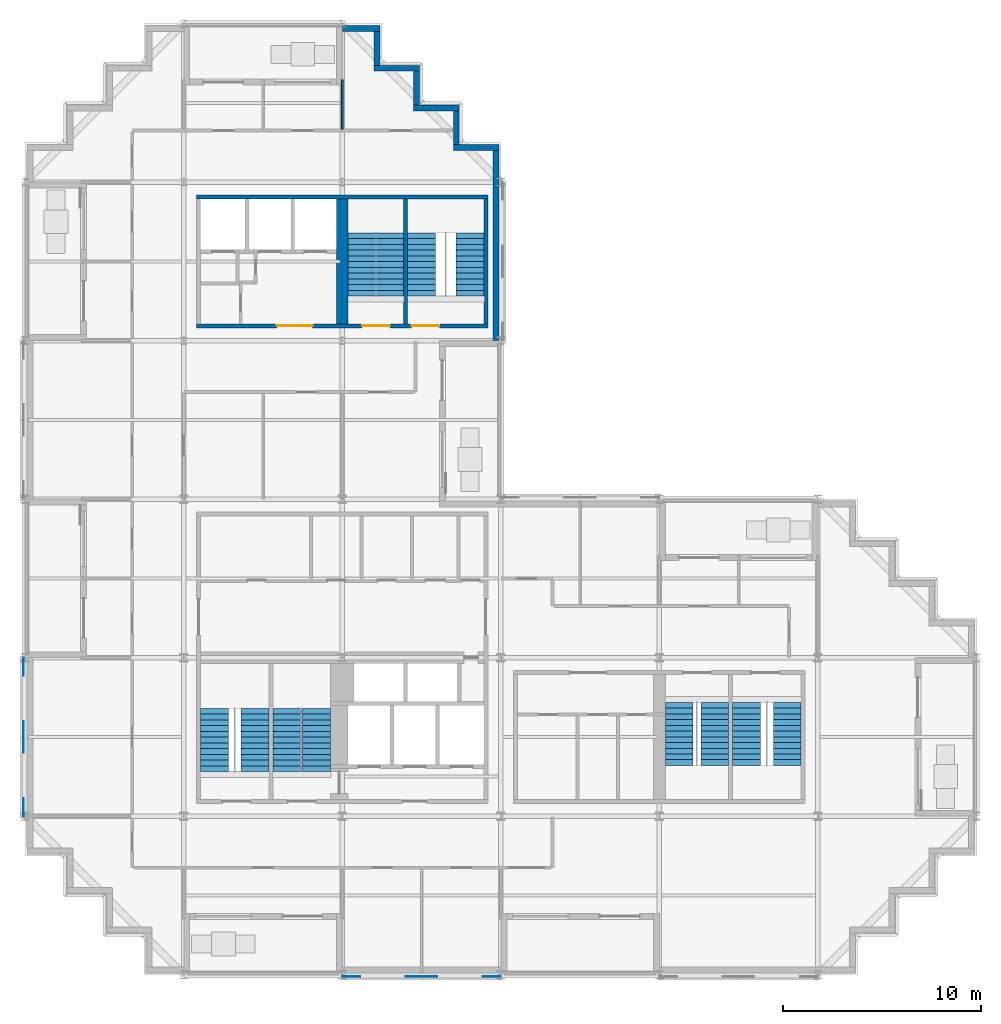
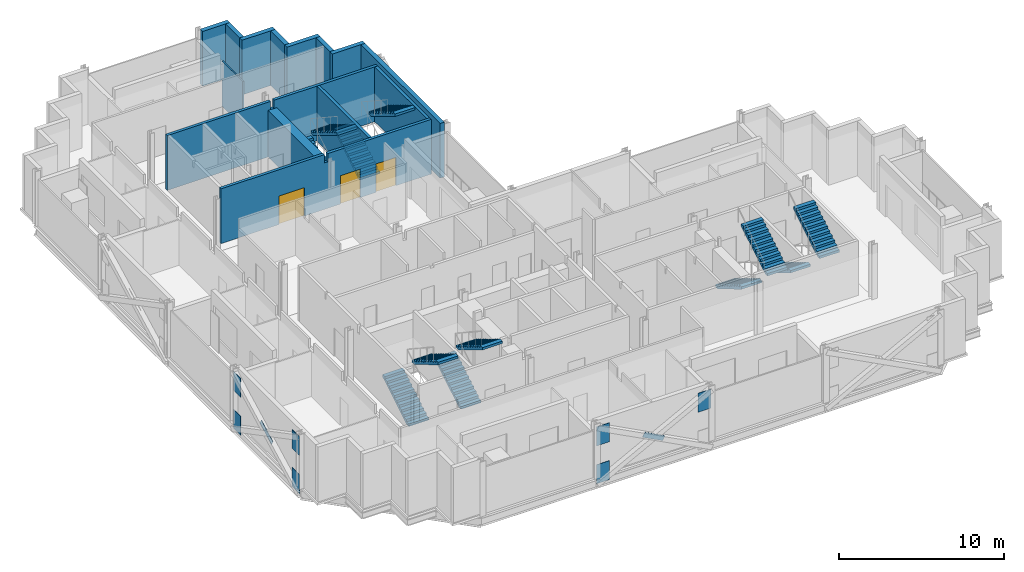
# One storey, part 9 of 13: 14 walls, 12 stair flights, 9 discrete accessories, 3 doors, 3 openings, 6 elements without a shape of their own.
"""IFC4 building model written with IfcOpenShell, lengths in metres."""

from ifc_helpers import new_model, si_unit, direction, frame, frame_2d, origin, origin_2d, place, context, subcontext, project, spatial, polyline, rectangle, outline, extrude, material, layer, layer_set, material_profile, profile_set, type_object, element, fill, aggregate, save


model = new_model("IFC4")

# Units and contexts
model_context = context("Model", 3, precision=1e-05, world=origin(), true_north=direction((0.0, 1.0)))
body_context = subcontext(model_context, "Body", "Model", "MODEL_VIEW")
ifc_project = project(units=[si_unit("LENGTHUNIT", "METRE"), si_unit("AREAUNIT", "SQUARE_METRE"), si_unit("VOLUMEUNIT", "CUBIC_METRE"), si_unit("PLANEANGLEUNIT", "RADIAN"), si_unit("MASSUNIT", "GRAM", prefix="KILO")], contexts=[model_context])

# Site, building, storey
site_placement = place(None, origin())
site = spatial("IfcSite", under=ifc_project, at=site_placement, CompositionType="ELEMENT")
building_placement = place(site_placement, origin())
building = spatial("IfcBuilding", under=site, at=building_placement, Name="Immortelle Media Tower", CompositionType="ELEMENT")
storey_placement = place(building_placement, frame((0.0, 0.0, 174.60009765625)))
storey = spatial("IfcBuildingStorey", under=building, at=storey_placement, Name="L36", CompositionType="ELEMENT", Elevation=174.60009765625)

# Walls
ifc_material_1 = material(Name="Pale aluminium cladding panel", Category="aluminium")
ifc_layer_1 = layer(ifc_material_1, 0.030029296875)
ifc_material_2 = material(Name="Steel ASTM A653 SS Gr 50 stud frame with mineral wool", Category="steel")
ifc_layer_2 = layer(ifc_material_2, 0.257568359375)
ifc_material_3 = material(Name="Moisture-resistant gypsum board", Category="gypsum")
ifc_layer_3 = layer(ifc_material_3, 0.012451171875)
ifc_layer_set_1 = layer_set([ifc_layer_1, ifc_layer_2, ifc_layer_3], Name="Steel ASTM A653 SS Gr 50 stud frame with mineral wool")
wall_type_1 = type_object("IfcWallType", Name="Facade wall 300", PredefinedType="SOLIDWALL", material=ifc_layer_set_1)
wall_1_placement = place(storey_placement, frame((23.75, 32.0, 0.0), z_axis=(0.0, 0.0, 1.0), x_axis=(0.0, 1.0, 0.0)))
element("IfcWall", 1, at=wall_1_placement, inside=storey, type_object=wall_type_1, Name="Facade wall L36 E21", PredefinedType="SOLIDWALL", context=body_context, shape_type="SweptSolid", body=[
    extrude(rectangle(XDim=9.60009765625, YDim=0.300048828125, at=frame_2d((4.800048828125, 0.0))), origin(), (0.0, 0.0, 1.0), 4.0498046875),
])
wall_2_placement = place(storey_placement, frame((23.89990234375, 41.75, 0.0), z_axis=(0.0, 0.0, 1.0), x_axis=(-1.0, 0.0, 0.0)))
element("IfcWall", 2, at=wall_2_placement, inside=storey, type_object=wall_type_1, Name="Facade wall L36 N22", PredefinedType="SOLIDWALL", context=body_context, shape_type="SweptSolid", body=[
    extrude(rectangle(XDim=2.2998046875, YDim=0.300048828125, at=frame_2d((1.14990234375, 0.0))), origin(), (0.0, 0.0, 1.0), 4.0498046875),
])
wall_3_placement = place(storey_placement, frame((21.75, 41.89990234375, 0.0), z_axis=(0.0, 0.0, 1.0), x_axis=(0.0, 1.0, 0.0)))
element("IfcWall", 3, at=wall_3_placement, inside=storey, type_object=wall_type_1, Name="Facade wall L36 E23", PredefinedType="SOLIDWALL", context=body_context, shape_type="SweptSolid", body=[
    extrude(rectangle(XDim=1.7001953125, YDim=0.300048828125, at=frame_2d((0.85009765625, 0.0))), origin(), (0.0, 0.0, 1.0), 4.0498046875),
])
wall_4_placement = place(storey_placement, frame((21.89990234375, 43.75, 0.0), z_axis=(0.0, 0.0, 1.0), x_axis=(-1.0, 0.0, 0.0)))
element("IfcWall", 4, at=wall_4_placement, inside=storey, type_object=wall_type_1, Name="Facade wall L36 N24", PredefinedType="SOLIDWALL", context=body_context, shape_type="SweptSolid", body=[
    extrude(rectangle(XDim=2.2998046875, YDim=0.300048828125, at=frame_2d((1.14990234375, 0.0))), origin(), (0.0, 0.0, 1.0), 4.0498046875),
])
wall_5_placement = place(storey_placement, frame((19.75, 43.89990234375, 0.0), z_axis=(0.0, 0.0, 1.0), x_axis=(0.0, 1.0, 0.0)))
element("IfcWall", 5, at=wall_5_placement, inside=storey, type_object=wall_type_1, Name="Facade wall L36 E25", PredefinedType="SOLIDWALL", context=body_context, shape_type="SweptSolid", body=[
    extrude(rectangle(XDim=1.7001953125, YDim=0.300048828125, at=frame_2d((0.85009765625, 0.0))), origin(), (0.0, 0.0, 1.0), 4.0498046875),
])
wall_6_placement = place(storey_placement, frame((19.89990234375, 45.75, 0.0), z_axis=(0.0, 0.0, 1.0), x_axis=(-1.0, 0.0, 0.0)))
element("IfcWall", 6, at=wall_6_placement, inside=storey, type_object=wall_type_1, Name="Facade wall L36 N26", PredefinedType="SOLIDWALL", context=body_context, shape_type="SweptSolid", body=[
    extrude(rectangle(XDim=2.2998046875, YDim=0.300048828125, at=frame_2d((1.14990234375, 0.0))), origin(), (0.0, 0.0, 1.0), 4.0498046875),
])
wall_7_placement = place(storey_placement, frame((17.75, 45.89990234375, 0.0), z_axis=(0.0, 0.0, 1.0), x_axis=(0.0, 1.0, 0.0)))
element("IfcWall", 7, at=wall_7_placement, inside=storey, type_object=wall_type_1, Name="Facade wall L36 E27", PredefinedType="SOLIDWALL", context=body_context, shape_type="SweptSolid", body=[
    extrude(rectangle(XDim=1.7001953125, YDim=0.300048828125, at=frame_2d((0.85009765625, 0.0))), origin(), (0.0, 0.0, 1.0), 4.0498046875),
])
wall_8_placement = place(storey_placement, frame((17.89990234375, 47.75, 0.0), z_axis=(0.0, 0.0, 1.0), x_axis=(-1.0, 0.0, 0.0)))
element("IfcWall", 8, at=wall_8_placement, inside=storey, type_object=wall_type_1, Name="Facade wall L36 N28", PredefinedType="SOLIDWALL", context=body_context, shape_type="SweptSolid", body=[
    extrude(rectangle(XDim=1.89990234375, YDim=0.300048828125, at=frame_2d((0.949951171875, 0.0))), origin(), (0.0, 0.0, 1.0), 4.0498046875),
])
ifc_material_4 = material(Name="Gypsum board", Category="gypsum")
ifc_layer_4 = layer(ifc_material_4, 0.012451171875)
ifc_layer_5 = layer(ifc_material_2, 0.074951171875)
ifc_layer_6 = layer(ifc_material_4, 0.012451171875)
ifc_layer_set_2 = layer_set([ifc_layer_4, ifc_layer_5, ifc_layer_6], Name="Steel ASTM A653 SS Gr 50 stud frame with mineral wool")
wall_type_2 = type_object("IfcWallType", Name="Partition 100", PredefinedType="PARTITIONING", material=ifc_layer_set_2)
wall_9_placement = place(storey_placement, frame((16.0, 42.675048828125, 0.0), z_axis=(0.0, 0.0, 1.0), x_axis=(0.0, 1.0, 0.0)))
element("IfcWall", 9, at=wall_9_placement, inside=storey, type_object=wall_type_2, Name="Partition L36-031", PredefinedType="PARTITIONING", context=body_context, shape_type="SweptSolid", body=[
    extrude(rectangle(XDim=2.494873046875, YDim=0.10009765625, at=frame_2d((1.24755859375, 0.0))), origin(), (0.0, 0.0, 1.0), 3.35400390625),
])

# Wall, openings, doors
ifc_material_5 = material(Name="Concrete C60", Category="concrete")
ifc_layer_7 = layer(ifc_material_5, 0.199951171875)
ifc_layer_set_3 = layer_set([ifc_layer_7], Name="Concrete C60")
wall_type_3 = type_object("IfcWallType", Name="Stair shaft wall 200", PredefinedType="PARTITIONING", material=ifc_layer_set_3)
wall_10_placement = place(storey_placement, frame((8.64990234375, 32.75, 0.0), z_axis=(0.0, 0.0, 1.0), x_axis=(1.0, 0.0, 0.0)))
wall_10 = element("IfcWall", 10, at=wall_10_placement, inside=storey, type_object=wall_type_3, Name="Stair shaft wall NW", PredefinedType="PARTITIONING", context=body_context, shape_type="SweptSolid", body=[
    extrude(outline(polyline([(0.0, 0.0), (14.7001953125, 0.0), (14.699951171875, 4.0498046875), (7.468994140625, 4.0498046875), (7.468017578125, 3.44189453125), (7.23193359375, 3.44189453125), (7.23095703125, 4.0498046875), (0.0, 4.0498046875), (0.0, 0.0)])), frame((0.0, 0.10009765625, 0.0), z_axis=(0.0, -1.0, 0.0), x_axis=(1.0, 0.0, 0.0)), (0.0, 0.0, 1.0), 0.199951171875),
])
opening_1_placement = place(wall_10_placement, frame((4.050048828125, 0.0, 0.0)))
opening_1 = element("IfcOpeningElement", 11, at=opening_1_placement, cuts=wall_10, Name="Opening C6-K026", PredefinedType="OPENING", context=body_context, shape_type="SweptSolid", body=[
    extrude(rectangle(XDim=1.800048828125, YDim=2.10009765625, at=frame_2d((0.89990234375, 1.050048828125))), frame((0.0, 0.10986328125, 0.0), z_axis=(0.0, -1.0, 0.0), x_axis=(1.0, 0.0, 0.0)), (0.0, 0.0, 1.0), 0.219970703125),
])
opening_2_placement = place(wall_10_placement, frame((8.35009765625, 0.0, 0.0)))
opening_2 = element("IfcOpeningElement", 12, at=opening_2_placement, cuts=wall_10, Name="Opening C6-K028", PredefinedType="OPENING", context=body_context, shape_type="SweptSolid", body=[
    extrude(rectangle(XDim=1.39990234375, YDim=2.10009765625, at=frame_2d((0.699951171875, 1.050048828125))), frame((0.0, 0.10986328125, 0.0), z_axis=(0.0, -1.0, 0.0), x_axis=(1.0, 0.0, 0.0)), (0.0, 0.0, 1.0), 0.219970703125),
])
opening_3_placement = place(wall_10_placement, frame((10.85009765625, 0.0, 0.0)))
opening_3 = element("IfcOpeningElement", 13, at=opening_3_placement, cuts=wall_10, Name="Opening C6-K029", PredefinedType="OPENING", context=body_context, shape_type="SweptSolid", body=[
    extrude(rectangle(XDim=1.39990234375, YDim=2.10009765625, at=frame_2d((0.699951171875, 1.050048828125))), frame((0.0, 0.10986328125, 0.0), z_axis=(0.0, -1.0, 0.0), x_axis=(1.0, 0.0, 0.0)), (0.0, 0.0, 1.0), 0.219970703125),
])
ifc_material_6 = material(Name="Galvanised steel door leaf and frame ASTM A653", Category="steel")
door_type_1 = type_object("IfcDoorType", Name="Lift lobby door 1800 x 2100", OperationType="DOUBLE_DOOR_SINGLE_SWING", PredefinedType="NOTDEFINED", material=ifc_material_6)
door_1_placement = place(opening_1_placement, origin())
door_1 = element("IfcDoor", 14, at=door_1_placement, inside=storey, type_object=door_type_1, Name="Lift lobby C6-K026", OperationType="DOUBLE_DOOR_SINGLE_SWING", OverallHeight=2.10009765625, OverallWidth=1.800048828125, PredefinedType="NOTDEFINED", context=body_context, shape_type="SweptSolid", body=[
    extrude(rectangle(XDim=1.800048828125, YDim=2.10009765625, at=frame_2d((0.89990234375, 1.050048828125))), frame((0.0, 0.02490234375, 0.0), z_axis=(0.0, -1.0, 0.0), x_axis=(1.0, 0.0, 0.0)), (0.0, 0.0, 1.0), 0.050048828125),
])
fill(opening_1, door_1)
door_type_2 = type_object("IfcDoorType", Name="Stair door 1400 x 2100", OperationType="DOUBLE_DOOR_SINGLE_SWING", PredefinedType="NOTDEFINED", material=ifc_material_6)
door_2_placement = place(opening_2_placement, origin())
door_2 = element("IfcDoor", 15, at=door_2_placement, inside=storey, type_object=door_type_2, Name="Stair C6-K028", OperationType="DOUBLE_DOOR_SINGLE_SWING", OverallHeight=2.10009765625, OverallWidth=1.39990234375, PredefinedType="NOTDEFINED", context=body_context, shape_type="SweptSolid", body=[
    extrude(rectangle(XDim=1.39990234375, YDim=2.10009765625, at=frame_2d((0.699951171875, 1.050048828125))), frame((0.0, 0.02490234375, 0.0), z_axis=(0.0, -1.0, 0.0), x_axis=(1.0, 0.0, 0.0)), (0.0, 0.0, 1.0), 0.050048828125),
])
fill(opening_2, door_2)
door_3_placement = place(opening_3_placement, origin())
door_3 = element("IfcDoor", 16, at=door_3_placement, inside=storey, type_object=door_type_2, Name="Stair C6-K029", OperationType="DOUBLE_DOOR_SINGLE_SWING", OverallHeight=2.10009765625, OverallWidth=1.39990234375, PredefinedType="NOTDEFINED", context=body_context, shape_type="SweptSolid", body=[
    extrude(rectangle(XDim=1.39990234375, YDim=2.10009765625, at=frame_2d((0.699951171875, 1.050048828125))), frame((0.0, 0.02490234375, 0.0), z_axis=(0.0, -1.0, 0.0), x_axis=(1.0, 0.0, 0.0)), (0.0, 0.0, 1.0), 0.050048828125),
])
fill(opening_3, door_3)

# Walls
wall_11_placement = place(storey_placement, frame((8.64990234375, 39.25, 0.0), z_axis=(0.0, 0.0, 1.0), x_axis=(1.0, 0.0, 0.0)))
element("IfcWall", 17, at=wall_11_placement, inside=storey, type_object=wall_type_3, Name="Stair shaft wall NW", PredefinedType="PARTITIONING", context=body_context, shape_type="SweptSolid", body=[
    extrude(outline(polyline([(0.0, 0.0), (14.7001953125, 0.0), (14.699951171875, 4.0498046875), (7.468994140625, 4.0498046875), (7.468017578125, 3.44189453125), (7.23193359375, 3.44189453125), (7.23095703125, 4.0498046875), (0.0, 4.0498046875), (0.0, 0.0)])), frame((0.0, 0.10009765625, 0.0), z_axis=(0.0, -1.0, 0.0), x_axis=(1.0, 0.0, 0.0)), (0.0, 0.0, 1.0), 0.199951171875),
])
for number, where, z_axis, x_axis, name in (
    (18, (19.199951171875, 32.85009765625, 0.0), (0.0, 0.0, 1.0), (0.0, 1.0, 0.0), "Stair shaft wall NW"),
    (19, (23.25, 32.85009765625, 0.0), (0.0, 0.0, 1.0), (0.0, 1.0, 0.0), "Stair shaft wall NW"),
):
    element("IfcWall", number, at=place(storey_placement, frame(where, z_axis=z_axis, x_axis=x_axis)), inside=storey, type_object=wall_type_3, Name=name, PredefinedType="PARTITIONING", context=body_context, shape_type="SweptSolid", body=[
        extrude(rectangle(XDim=6.2998046875, YDim=0.199951171875, at=frame_2d((3.14990234375, 0.0))), origin(), (0.0, 0.0, 1.0), 4.0498046875),
    ])
ifc_layer_8 = layer(ifc_material_5, 0.60009765625)
ifc_layer_set_4 = layer_set([ifc_layer_8], Name="Concrete C60")
wall_type_4 = type_object("IfcWallType", Name="Stair shaft wall 600", PredefinedType="PARTITIONING", material=ifc_layer_set_4)
wall_12_placement = place(storey_placement, frame((16.0, 32.85009765625, 0.0), z_axis=(0.0, 0.0, 1.0), x_axis=(0.0, 1.0, 0.0)))
element("IfcWall", 20, at=wall_12_placement, inside=storey, type_object=wall_type_4, Name="Stair shaft wall NW", PredefinedType="PARTITIONING", context=body_context, shape_type="SweptSolid", body=[
    extrude(rectangle(XDim=6.2998046875, YDim=0.60009765625, at=frame_2d((3.14990234375, 0.0))), origin(), (0.0, 0.0, 1.0), 3.44189453125),
])

# Stair, stair flights
ifc_material_7 = material(Name="Steel ASTM A992 Gr 50", Category="steel")
stair_type = type_object("IfcStairType", Name="Stair with flights", PredefinedType="DOUBLE_RETURN_STAIR", material=ifc_material_7)
stair_1_placement = place(storey_placement, origin())
stair_1 = element("IfcStair", 21, at=stair_1_placement, inside=storey, type_object=stair_type, Name="Exit stair SW1", PredefinedType="DOUBLE_RETURN_STAIR")
stair_flight_type = type_object("IfcStairFlightType", Name="Stair flight 1400", PredefinedType="STRAIGHT", material=ifc_material_7)
stair_flight_1_placement = place(storey_placement, frame((9.550048828125, 10.25, 0.0), z_axis=(0.0, 0.0, 1.0), x_axis=(0.0, 1.0, 0.0)))
stair_flight_1 = element("IfcStairFlight", 22, at=stair_flight_1_placement, type_object=stair_flight_type, Name="ST SW1 flight 1", NumberOfRisers=12, NumberOfTreads=11, PredefinedType="STRAIGHT", RiserHeight=0.175, TreadLength=0.29, context=body_context, shape_type="SweptSolid", body=[
    extrude(outline(polyline([(0.0, 0.0), (0.0, 0.175048828125), (0.2900390625, 0.175048828125), (0.2900390625, 0.35009765625), (0.580078125, 0.35009765625), (0.580078125, 0.52490234375), (0.8701171875, 0.52490234375), (0.8701171875, 0.699951171875), (1.159912109375, 0.699951171875), (1.159912109375, 0.875), (1.449951171875, 0.875), (1.449951171875, 1.050048828125), (1.739990234375, 1.050048828125), (1.739990234375, 1.22509765625), (2.030029296875, 1.22509765625), (2.030029296875, 1.39990234375), (2.320068359375, 1.39990234375), (2.320068359375, 1.574951171875), (2.610107421875, 1.574951171875), (2.610107421875, 1.75), (2.89990234375, 1.75), (2.89990234375, 1.925048828125), (3.18994140625, 1.925048828125), (3.18994140625, 2.10009765625), (3.18994140625, 1.75), (0.2900390625, 0.0), (0.0, 0.0)])), frame((0.0, 0.699951171875, 0.0), z_axis=(0.0, -1.0, 0.0), x_axis=(1.0, 0.0, 0.0)), (0.0, 0.0, 1.0), 1.39990234375),
])
stair_flight_2_placement = place(storey_placement, frame((11.60009765625, 13.43994140625, 2.099853515625), z_axis=(0.0, 0.0, 1.0), x_axis=(0.0, -1.0, 0.0)))
stair_flight_2 = element("IfcStairFlight", 23, at=stair_flight_2_placement, type_object=stair_flight_type, Name="ST SW1 flight 2", NumberOfRisers=12, NumberOfTreads=11, PredefinedType="STRAIGHT", RiserHeight=0.175, TreadLength=0.29, context=body_context, shape_type="SweptSolid", body=[
    extrude(outline(polyline([(0.0, 0.0), (0.0, 0.175048828125), (0.2900390625, 0.175048828125), (0.2900390625, 0.35009765625), (0.580078125, 0.35009765625), (0.580078125, 0.52490234375), (0.8701171875, 0.52490234375), (0.8701171875, 0.699951171875), (1.159912109375, 0.699951171875), (1.159912109375, 0.875), (1.449951171875, 0.875), (1.449951171875, 1.050048828125), (1.739990234375, 1.050048828125), (1.739990234375, 1.22509765625), (2.030029296875, 1.22509765625), (2.030029296875, 1.39990234375), (2.320068359375, 1.39990234375), (2.320068359375, 1.574951171875), (2.610107421875, 1.574951171875), (2.610107421875, 1.75), (2.89990234375, 1.75), (2.89990234375, 1.925048828125), (3.18994140625, 1.925048828125), (3.18994140625, 2.10009765625), (3.18994140625, 1.75), (0.2900390625, 0.0), (0.0, 0.0)])), frame((0.0, 0.699951171875, 0.0), z_axis=(0.0, -1.0, 0.0), x_axis=(1.0, 0.0, 0.0)), (0.0, 0.0, 1.0), 1.39990234375),
])
aggregate(stair_1, [stair_flight_1, stair_flight_2])

stair_2_placement = place(storey_placement, origin())
stair_2 = element("IfcStair", 24, at=stair_2_placement, inside=storey, type_object=stair_type, Name="Exit stair SW2", PredefinedType="DOUBLE_RETURN_STAIR")
stair_flight_3_placement = place(storey_placement, frame((13.199951171875, 10.25, 0.0), z_axis=(0.0, 0.0, 1.0), x_axis=(0.0, 1.0, 0.0)))
stair_flight_3 = element("IfcStairFlight", 25, at=stair_flight_3_placement, type_object=stair_flight_type, Name="ST SW2 flight 1", NumberOfRisers=12, NumberOfTreads=11, PredefinedType="STRAIGHT", RiserHeight=0.175, TreadLength=0.29, context=body_context, shape_type="SweptSolid", body=[
    extrude(outline(polyline([(0.0, 0.0), (0.0, 0.175048828125), (0.2900390625, 0.175048828125), (0.2900390625, 0.35009765625), (0.580078125, 0.35009765625), (0.580078125, 0.52490234375), (0.8701171875, 0.52490234375), (0.8701171875, 0.699951171875), (1.159912109375, 0.699951171875), (1.159912109375, 0.875), (1.449951171875, 0.875), (1.449951171875, 1.050048828125), (1.739990234375, 1.050048828125), (1.739990234375, 1.22509765625), (2.030029296875, 1.22509765625), (2.030029296875, 1.39990234375), (2.320068359375, 1.39990234375), (2.320068359375, 1.574951171875), (2.610107421875, 1.574951171875), (2.610107421875, 1.75), (2.89990234375, 1.75), (2.89990234375, 1.925048828125), (3.18994140625, 1.925048828125), (3.18994140625, 2.10009765625), (3.18994140625, 1.75), (0.2900390625, 0.0), (0.0, 0.0)])), frame((0.0, 0.699951171875, 0.0), z_axis=(0.0, -1.0, 0.0), x_axis=(1.0, 0.0, 0.0)), (0.0, 0.0, 1.0), 1.39990234375),
])
stair_flight_4_placement = place(storey_placement, frame((14.699951171875, 13.43994140625, 2.099853515625), z_axis=(0.0, 0.0, 1.0), x_axis=(0.0, -1.0, 0.0)))
stair_flight_4 = element("IfcStairFlight", 26, at=stair_flight_4_placement, type_object=stair_flight_type, Name="ST SW2 flight 2", NumberOfRisers=12, NumberOfTreads=11, PredefinedType="STRAIGHT", RiserHeight=0.175, TreadLength=0.29, context=body_context, shape_type="SweptSolid", body=[
    extrude(outline(polyline([(0.0, 0.0), (0.0, 0.175048828125), (0.2900390625, 0.175048828125), (0.2900390625, 0.35009765625), (0.580078125, 0.35009765625), (0.580078125, 0.52490234375), (0.8701171875, 0.52490234375), (0.8701171875, 0.699951171875), (1.159912109375, 0.699951171875), (1.159912109375, 0.875), (1.449951171875, 0.875), (1.449951171875, 1.050048828125), (1.739990234375, 1.050048828125), (1.739990234375, 1.22509765625), (2.030029296875, 1.22509765625), (2.030029296875, 1.39990234375), (2.320068359375, 1.39990234375), (2.320068359375, 1.574951171875), (2.610107421875, 1.574951171875), (2.610107421875, 1.75), (2.89990234375, 1.75), (2.89990234375, 1.925048828125), (3.18994140625, 1.925048828125), (3.18994140625, 2.10009765625), (3.18994140625, 1.75), (0.2900390625, 0.0), (0.0, 0.0)])), frame((0.0, 0.699951171875, 0.0), z_axis=(0.0, -1.0, 0.0), x_axis=(1.0, 0.0, 0.0)), (0.0, 0.0, 1.0), 1.39990234375),
])
aggregate(stair_2, [stair_flight_3, stair_flight_4])

stair_3_placement = place(storey_placement, origin())
stair_3 = element("IfcStair", 27, at=stair_3_placement, inside=storey, type_object=stair_type, Name="Exit stair SE1", PredefinedType="DOUBLE_RETURN_STAIR")
stair_flight_5_placement = place(storey_placement, frame((33.0, 13.75, 0.0), z_axis=(0.0, 0.0, 1.0), x_axis=(0.0, -1.0, 0.0)))
stair_flight_5 = element("IfcStairFlight", 28, at=stair_flight_5_placement, type_object=stair_flight_type, Name="ST SE1 flight 1", NumberOfRisers=12, NumberOfTreads=11, PredefinedType="STRAIGHT", RiserHeight=0.175, TreadLength=0.29, context=body_context, shape_type="SweptSolid", body=[
    extrude(outline(polyline([(0.0, 0.0), (0.0, 0.175048828125), (0.2900390625, 0.175048828125), (0.2900390625, 0.35009765625), (0.580078125, 0.35009765625), (0.580078125, 0.52490234375), (0.8701171875, 0.52490234375), (0.8701171875, 0.699951171875), (1.159912109375, 0.699951171875), (1.159912109375, 0.875), (1.449951171875, 0.875), (1.449951171875, 1.050048828125), (1.739990234375, 1.050048828125), (1.739990234375, 1.22509765625), (2.030029296875, 1.22509765625), (2.030029296875, 1.39990234375), (2.320068359375, 1.39990234375), (2.320068359375, 1.574951171875), (2.610107421875, 1.574951171875), (2.610107421875, 1.75), (2.89990234375, 1.75), (2.89990234375, 1.925048828125), (3.18994140625, 1.925048828125), (3.18994140625, 2.10009765625), (3.18994140625, 1.75), (0.2900390625, 0.0), (0.0, 0.0)])), frame((0.0, 0.699951171875, 0.0), z_axis=(0.0, -1.0, 0.0), x_axis=(1.0, 0.0, 0.0)), (0.0, 0.0, 1.0), 1.39990234375),
])
stair_flight_6_placement = place(storey_placement, frame((34.800048828125, 10.56005859375, 2.099853515625), z_axis=(0.0, 0.0, 1.0), x_axis=(0.0, 1.0, 0.0)))
stair_flight_6 = element("IfcStairFlight", 29, at=stair_flight_6_placement, type_object=stair_flight_type, Name="ST SE1 flight 2", NumberOfRisers=12, NumberOfTreads=11, PredefinedType="STRAIGHT", RiserHeight=0.175, TreadLength=0.29, context=body_context, shape_type="SweptSolid", body=[
    extrude(outline(polyline([(0.0, 0.0), (0.0, 0.175048828125), (0.2900390625, 0.175048828125), (0.2900390625, 0.35009765625), (0.580078125, 0.35009765625), (0.580078125, 0.52490234375), (0.8701171875, 0.52490234375), (0.8701171875, 0.699951171875), (1.159912109375, 0.699951171875), (1.159912109375, 0.875), (1.449951171875, 0.875), (1.449951171875, 1.050048828125), (1.739990234375, 1.050048828125), (1.739990234375, 1.22509765625), (2.030029296875, 1.22509765625), (2.030029296875, 1.39990234375), (2.320068359375, 1.39990234375), (2.320068359375, 1.574951171875), (2.610107421875, 1.574951171875), (2.610107421875, 1.75), (2.89990234375, 1.75), (2.89990234375, 1.925048828125), (3.18994140625, 1.925048828125), (3.18994140625, 2.10009765625), (3.18994140625, 1.75), (0.2900390625, 0.0), (0.0, 0.0)])), frame((0.0, 0.699951171875, 0.0), z_axis=(0.0, -1.0, 0.0), x_axis=(1.0, 0.0, 0.0)), (0.0, 0.0, 1.0), 1.39990234375),
])
aggregate(stair_3, [stair_flight_5, stair_flight_6])

stair_4_placement = place(storey_placement, origin())
stair_4 = element("IfcStair", 30, at=stair_4_placement, inside=storey, type_object=stair_type, Name="Exit stair SE2", PredefinedType="DOUBLE_RETURN_STAIR")
stair_flight_7_placement = place(storey_placement, frame((36.39990234375, 13.75, 0.0), z_axis=(0.0, 0.0, 1.0), x_axis=(0.0, -1.0, 0.0)))
stair_flight_7 = element("IfcStairFlight", 31, at=stair_flight_7_placement, type_object=stair_flight_type, Name="ST SE2 flight 1", NumberOfRisers=12, NumberOfTreads=11, PredefinedType="STRAIGHT", RiserHeight=0.175, TreadLength=0.29, context=body_context, shape_type="SweptSolid", body=[
    extrude(outline(polyline([(0.0, 0.0), (0.0, 0.175048828125), (0.2900390625, 0.175048828125), (0.2900390625, 0.35009765625), (0.580078125, 0.35009765625), (0.580078125, 0.52490234375), (0.8701171875, 0.52490234375), (0.8701171875, 0.699951171875), (1.159912109375, 0.699951171875), (1.159912109375, 0.875), (1.449951171875, 0.875), (1.449951171875, 1.050048828125), (1.739990234375, 1.050048828125), (1.739990234375, 1.22509765625), (2.030029296875, 1.22509765625), (2.030029296875, 1.39990234375), (2.320068359375, 1.39990234375), (2.320068359375, 1.574951171875), (2.610107421875, 1.574951171875), (2.610107421875, 1.75), (2.89990234375, 1.75), (2.89990234375, 1.925048828125), (3.18994140625, 1.925048828125), (3.18994140625, 2.10009765625), (3.18994140625, 1.75), (0.2900390625, 0.0), (0.0, 0.0)])), frame((0.0, 0.699951171875, 0.0), z_axis=(0.0, -1.0, 0.0), x_axis=(1.0, 0.0, 0.0)), (0.0, 0.0, 1.0), 1.39990234375),
])
stair_flight_8_placement = place(storey_placement, frame((38.449951171875, 10.56005859375, 2.099853515625), z_axis=(0.0, 0.0, 1.0), x_axis=(0.0, 1.0, 0.0)))
stair_flight_8 = element("IfcStairFlight", 32, at=stair_flight_8_placement, type_object=stair_flight_type, Name="ST SE2 flight 2", NumberOfRisers=12, NumberOfTreads=11, PredefinedType="STRAIGHT", RiserHeight=0.175, TreadLength=0.29, context=body_context, shape_type="SweptSolid", body=[
    extrude(outline(polyline([(0.0, 0.0), (0.0, 0.175048828125), (0.2900390625, 0.175048828125), (0.2900390625, 0.35009765625), (0.580078125, 0.35009765625), (0.580078125, 0.52490234375), (0.8701171875, 0.52490234375), (0.8701171875, 0.699951171875), (1.159912109375, 0.699951171875), (1.159912109375, 0.875), (1.449951171875, 0.875), (1.449951171875, 1.050048828125), (1.739990234375, 1.050048828125), (1.739990234375, 1.22509765625), (2.030029296875, 1.22509765625), (2.030029296875, 1.39990234375), (2.320068359375, 1.39990234375), (2.320068359375, 1.574951171875), (2.610107421875, 1.574951171875), (2.610107421875, 1.75), (2.89990234375, 1.75), (2.89990234375, 1.925048828125), (3.18994140625, 1.925048828125), (3.18994140625, 2.10009765625), (3.18994140625, 1.75), (0.2900390625, 0.0), (0.0, 0.0)])), frame((0.0, 0.699951171875, 0.0), z_axis=(0.0, -1.0, 0.0), x_axis=(1.0, 0.0, 0.0)), (0.0, 0.0, 1.0), 1.39990234375),
])
aggregate(stair_4, [stair_flight_7, stair_flight_8])

stair_5_placement = place(storey_placement, origin())
stair_5 = element("IfcStair", 33, at=stair_5_placement, inside=storey, type_object=stair_type, Name="Exit stair NW1", PredefinedType="DOUBLE_RETURN_STAIR")
stair_flight_9_placement = place(storey_placement, frame((17.0, 34.25, 0.0), z_axis=(0.0, 0.0, 1.0), x_axis=(0.0, 1.0, 0.0)))
stair_flight_9 = element("IfcStairFlight", 34, at=stair_flight_9_placement, type_object=stair_flight_type, Name="ST NW1 flight 1", NumberOfRisers=12, NumberOfTreads=11, PredefinedType="STRAIGHT", RiserHeight=0.175, TreadLength=0.29, context=body_context, shape_type="SweptSolid", body=[
    extrude(outline(polyline([(0.0, 0.0), (0.0, 0.175048828125), (0.2900390625, 0.175048828125), (0.2900390625, 0.35009765625), (0.580078125, 0.35009765625), (0.580078125, 0.52490234375), (0.8701171875, 0.52490234375), (0.8701171875, 0.699951171875), (1.159912109375, 0.699951171875), (1.159912109375, 0.875), (1.449951171875, 0.875), (1.449951171875, 1.050048828125), (1.739990234375, 1.050048828125), (1.739990234375, 1.22509765625), (2.030029296875, 1.22509765625), (2.030029296875, 1.39990234375), (2.320068359375, 1.39990234375), (2.320068359375, 1.574951171875), (2.610107421875, 1.574951171875), (2.610107421875, 1.75), (2.89990234375, 1.75), (2.89990234375, 1.925048828125), (3.18994140625, 1.925048828125), (3.18994140625, 2.10009765625), (3.18994140625, 1.75), (0.2900390625, 0.0), (0.0, 0.0)])), frame((0.0, 0.699951171875, 0.0), z_axis=(0.0, -1.0, 0.0), x_axis=(1.0, 0.0, 0.0)), (0.0, 0.0, 1.0), 1.39990234375),
])
stair_flight_10_placement = place(storey_placement, frame((18.39990234375, 37.43994140625, 2.099853515625), z_axis=(0.0, 0.0, 1.0), x_axis=(0.0, -1.0, 0.0)))
stair_flight_10 = element("IfcStairFlight", 35, at=stair_flight_10_placement, type_object=stair_flight_type, Name="ST NW1 flight 2", NumberOfRisers=12, NumberOfTreads=11, PredefinedType="STRAIGHT", RiserHeight=0.175, TreadLength=0.29, context=body_context, shape_type="SweptSolid", body=[
    extrude(outline(polyline([(0.0, 0.0), (0.0, 0.175048828125), (0.2900390625, 0.175048828125), (0.2900390625, 0.35009765625), (0.580078125, 0.35009765625), (0.580078125, 0.52490234375), (0.8701171875, 0.52490234375), (0.8701171875, 0.699951171875), (1.159912109375, 0.699951171875), (1.159912109375, 0.875), (1.449951171875, 0.875), (1.449951171875, 1.050048828125), (1.739990234375, 1.050048828125), (1.739990234375, 1.22509765625), (2.030029296875, 1.22509765625), (2.030029296875, 1.39990234375), (2.320068359375, 1.39990234375), (2.320068359375, 1.574951171875), (2.610107421875, 1.574951171875), (2.610107421875, 1.75), (2.89990234375, 1.75), (2.89990234375, 1.925048828125), (3.18994140625, 1.925048828125), (3.18994140625, 2.10009765625), (3.18994140625, 1.75), (0.2900390625, 0.0), (0.0, 0.0)])), frame((0.0, 0.699951171875, 0.0), z_axis=(0.0, -1.0, 0.0), x_axis=(1.0, 0.0, 0.0)), (0.0, 0.0, 1.0), 1.39990234375),
])
aggregate(stair_5, [stair_flight_9, stair_flight_10])

stair_6_placement = place(storey_placement, origin())
stair_6 = element("IfcStair", 36, at=stair_6_placement, inside=storey, type_object=stair_type, Name="Exit stair NW2", PredefinedType="DOUBLE_RETURN_STAIR")
stair_flight_11_placement = place(storey_placement, frame((20.0, 34.25, 0.0), z_axis=(0.0, 0.0, 1.0), x_axis=(0.0, 1.0, 0.0)))
stair_flight_11 = element("IfcStairFlight", 37, at=stair_flight_11_placement, type_object=stair_flight_type, Name="ST NW2 flight 1", NumberOfRisers=12, NumberOfTreads=11, PredefinedType="STRAIGHT", RiserHeight=0.175, TreadLength=0.29, context=body_context, shape_type="SweptSolid", body=[
    extrude(outline(polyline([(0.0, 0.0), (0.0, 0.175048828125), (0.2900390625, 0.175048828125), (0.2900390625, 0.35009765625), (0.580078125, 0.35009765625), (0.580078125, 0.52490234375), (0.8701171875, 0.52490234375), (0.8701171875, 0.699951171875), (1.159912109375, 0.699951171875), (1.159912109375, 0.875), (1.449951171875, 0.875), (1.449951171875, 1.050048828125), (1.739990234375, 1.050048828125), (1.739990234375, 1.22509765625), (2.030029296875, 1.22509765625), (2.030029296875, 1.39990234375), (2.320068359375, 1.39990234375), (2.320068359375, 1.574951171875), (2.610107421875, 1.574951171875), (2.610107421875, 1.75), (2.89990234375, 1.75), (2.89990234375, 1.925048828125), (3.18994140625, 1.925048828125), (3.18994140625, 2.10009765625), (3.18994140625, 1.75), (0.2900390625, 0.0), (0.0, 0.0)])), frame((0.0, 0.699951171875, 0.0), z_axis=(0.0, -1.0, 0.0), x_axis=(1.0, 0.0, 0.0)), (0.0, 0.0, 1.0), 1.39990234375),
])
stair_flight_12_placement = place(storey_placement, frame((22.449951171875, 37.43994140625, 2.099853515625), z_axis=(0.0, 0.0, 1.0), x_axis=(0.0, -1.0, 0.0)))
stair_flight_12 = element("IfcStairFlight", 38, at=stair_flight_12_placement, type_object=stair_flight_type, Name="ST NW2 flight 2", NumberOfRisers=12, NumberOfTreads=11, PredefinedType="STRAIGHT", RiserHeight=0.175, TreadLength=0.29, context=body_context, shape_type="SweptSolid", body=[
    extrude(outline(polyline([(0.0, 0.0), (0.0, 0.175048828125), (0.2900390625, 0.175048828125), (0.2900390625, 0.35009765625), (0.580078125, 0.35009765625), (0.580078125, 0.52490234375), (0.8701171875, 0.52490234375), (0.8701171875, 0.699951171875), (1.159912109375, 0.699951171875), (1.159912109375, 0.875), (1.449951171875, 0.875), (1.449951171875, 1.050048828125), (1.739990234375, 1.050048828125), (1.739990234375, 1.22509765625), (2.030029296875, 1.22509765625), (2.030029296875, 1.39990234375), (2.320068359375, 1.39990234375), (2.320068359375, 1.574951171875), (2.610107421875, 1.574951171875), (2.610107421875, 1.75), (2.89990234375, 1.75), (2.89990234375, 1.925048828125), (3.18994140625, 1.925048828125), (3.18994140625, 2.10009765625), (3.18994140625, 1.75), (0.2900390625, 0.0), (0.0, 0.0)])), frame((0.0, 0.699951171875, 0.0), z_axis=(0.0, -1.0, 0.0), x_axis=(1.0, 0.0, 0.0)), (0.0, 0.0, 1.0), 1.39990234375),
])
aggregate(stair_6, [stair_flight_11, stair_flight_12])

# Discrete accessories
ifc_material_8 = material(Name="Steel ASTM A572 Gr 50", Category="steel")
ifc_material_profile_1 = material_profile(ifc_material_8, rectangle(XDim=0.02392578125, YDim=0.35595703125, at=origin_2d()), Name="PL 24 x 356")
ifc_profile_set_1 = profile_set([ifc_material_profile_1], Name="Steel ASTM A572 Gr 50")
discrete_accessory_type_1 = type_object("IfcDiscreteAccessoryType", Name="Crossing plate XP-BR5 1600 x 356 x 24", PredefinedType="USERDEFINED", material=ifc_profile_set_1)
for number, where, z_axis, x_axis, name in (
    (39, (-0.087890625, 12.708251953125, 2.015869140625), (0.0, -0.885338234428, -0.464947535385), (1.0, 0.0, 0.0), "Crossing plate XP-BR5 of Brace 1/B-C A and Brace 1/B-C B"),
    (40, (19.291748046875, -0.087890625, 2.015869140625), (0.885338234428, 0.0, -0.464947535385), (0.0, 1.0, 0.0), "Crossing plate XP-BR5 of Brace A/3-4 A and Brace A/3-4 B"),
):
    element("IfcDiscreteAccessory", number, at=place(storey_placement, frame(where, z_axis=z_axis, x_axis=x_axis)), inside=storey, type_object=discrete_accessory_type_1, Name=name, ObjectType="CROSSING PLATE", PredefinedType="USERDEFINED", context=body_context, shape_type="SweptSolid", body=[
        extrude(rectangle(XDim=0.02392578125, YDim=0.35595703125, at=origin_2d()), origin(), (0.0, 0.0, 1.0), 1.599853515625),
    ])
ifc_material_profile_2 = material_profile(ifc_material_8, rectangle(XDim=0.031982421875, YDim=1.39990234375, at=origin_2d()), Name="PL 32 x 1400")
ifc_profile_set_2 = profile_set([ifc_material_profile_2], Name="Steel ASTM A572 Gr 50")
discrete_accessory_type_2 = type_object("IfcDiscreteAccessoryType", Name="Gusset plate GP1 900 x 1400 x 32", PredefinedType="USERDEFINED", material=ifc_profile_set_2)
for number, where, z_axis, x_axis, name in (
    (41, (16.0, -0.087890625, 0.243896484375), (1.0, 0.0, 0.0), (0.0, 1.0, 0.0), "Gusset plate GP1, lower end of Brace A/3-4 A"),
    (42, (24.0, -0.087890625, 3.0439453125), (-1.0, 0.0, 0.0), (0.0, -1.0, 0.0), "Gusset plate GP1, upper end of Brace A/3-4 A"),
    (43, (16.0, -0.087890625, 3.0439453125), (1.0, 0.0, 0.0), (0.0, 1.0, 0.0), "Gusset plate GP1, upper end of Brace A/3-4 B"),
    (44, (-0.087890625, 16.0, 0.243896484375), (0.0, -1.0, 0.0), (1.0, 0.0, 0.0), "Gusset plate GP1, lower end of Brace 1/B-C A"),
    (45, (-0.087890625, 8.0, 3.0439453125), (0.0, 1.0, 0.0), (-1.0, 0.0, 0.0), "Gusset plate GP1, upper end of Brace 1/B-C A"),
    (46, (-0.087890625, 8.0, 0.243896484375), (0.0, 1.0, 0.0), (-1.0, 0.0, 0.0), "Gusset plate GP1, lower end of Brace 1/B-C B"),
    (47, (-0.087890625, 16.0, 3.0439453125), (0.0, -1.0, 0.0), (1.0, 0.0, 0.0), "Gusset plate GP1, upper end of Brace 1/B-C B"),
):
    element("IfcDiscreteAccessory", number, at=place(storey_placement, frame(where, z_axis=z_axis, x_axis=x_axis)), inside=storey, type_object=discrete_accessory_type_2, Name=name, ObjectType="GUSSET PLATE", PredefinedType="USERDEFINED", context=body_context, shape_type="SweptSolid", body=[
        extrude(rectangle(XDim=0.031982421875, YDim=1.39990234375, at=origin_2d()), origin(), (0.0, 0.0, 1.0), 0.89990234375),
    ])

save(model, "model.ifc")
